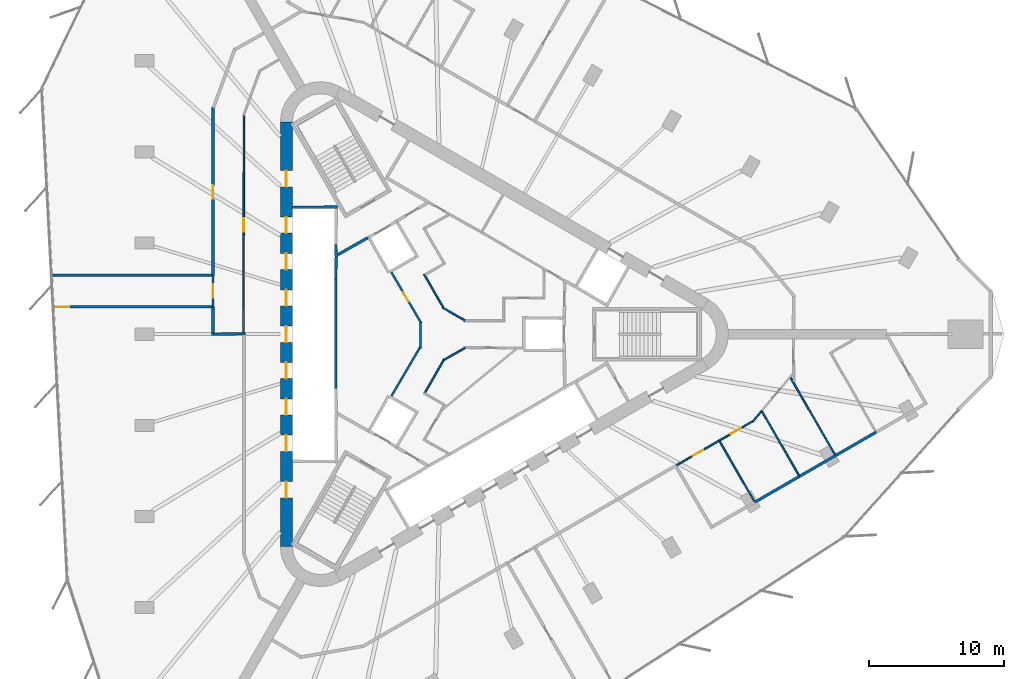
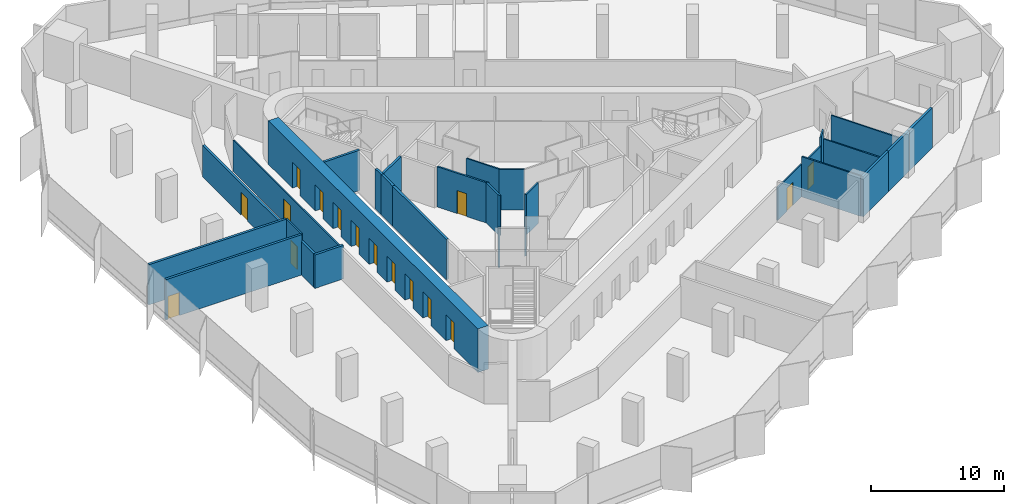
# One storey, part 9 of 14: 29 walls, 16 doors, 16 openings.
"""IFC4 building model written with IfcOpenShell, lengths in metres."""

from ifc_helpers import new_model, si_unit, direction, frame, frame_2d, origin, place, context, subcontext, project, spatial, rectangle, extrude, material, layer, layer_set, type_object, element, fill, save


model = new_model("IFC4")

# Units and contexts
model_context = context("Model", 3, precision=1e-05, world=origin(), true_north=direction((0.0, 1.0)))
body_context = subcontext(model_context, "Body", "Model", "MODEL_VIEW")
ifc_project = project(units=[si_unit("LENGTHUNIT", "METRE"), si_unit("AREAUNIT", "SQUARE_METRE"), si_unit("VOLUMEUNIT", "CUBIC_METRE"), si_unit("PLANEANGLEUNIT", "RADIAN"), si_unit("MASSUNIT", "GRAM", prefix="KILO")], contexts=[model_context])

# Site, building, storey
site_placement = place(None, origin())
site = spatial("IfcSite", under=ifc_project, at=site_placement, CompositionType="ELEMENT")
building_placement = place(site_placement, origin())
building = spatial("IfcBuilding", under=site, at=building_placement, Name="Tanit Gate Tower", CompositionType="ELEMENT")
storey_placement = place(building_placement, frame((0.0, 0.0, 205.199951171875)))
storey = spatial("IfcBuildingStorey", under=building, at=storey_placement, Name="L45", CompositionType="ELEMENT", Elevation=205.199951171875)

# Wall, openings, doors
ifc_material_1 = material(Name="Concrete C50/60", Category="concrete")
ifc_layer_1 = layer(ifc_material_1, 0.89990234375)
ifc_layer_set_1 = layer_set([ifc_layer_1], Name="CORE WALL 900 C50/60")
wall_type_1 = type_object("IfcWallType", Name="CORE WALL 900 C50/60", PredefinedType="SHEAR", material=ifc_layer_set_1)
wall_1_placement = place(storey_placement, frame((-11.64990234375, 15.76171875, 0.0), z_axis=(0.0, 0.0, 1.0), x_axis=(0.0, -1.0, 0.0)))
wall_1 = element("IfcWall", 1, at=wall_1_placement, inside=storey, type_object=wall_type_1, Name="CORE WALL", PredefinedType="SHEAR", context=body_context, shape_type="SweptSolid", body=[
    extrude(rectangle(XDim=31.5234375, YDim=0.89990234375, at=frame_2d((15.76171875, 0.0))), origin(), (0.0, 0.0, 1.0), 4.0),
])
opening_1_placement = place(wall_1_placement, frame((7.061767578125, 0.0, 0.0)))
opening_1 = element("IfcOpeningElement", 2, at=opening_1_placement, cuts=wall_1, Name="Opening LDML1-S12", PredefinedType="OPENING", context=body_context, shape_type="SweptSolid", body=[
    extrude(rectangle(XDim=1.199951171875, YDim=2.39990234375, at=frame_2d((0.60009765625, 1.199951171875))), frame((0.0, 0.4599609375, 0.0), z_axis=(0.0, -1.0, 0.0), x_axis=(1.0, 0.0, 0.0)), (0.0, 0.0, 1.0), 0.919921875),
])
opening_2_placement = place(wall_1_placement, frame((9.76171875, 0.0, 0.0)))
opening_2 = element("IfcOpeningElement", 3, at=opening_2_placement, cuts=wall_1, Name="Opening LDML2-S12", PredefinedType="OPENING", context=body_context, shape_type="SweptSolid", body=[
    extrude(rectangle(XDim=1.199951171875, YDim=2.39990234375, at=frame_2d((0.60009765625, 1.199951171875))), frame((0.0, 0.4599609375, 0.0), z_axis=(0.0, -1.0, 0.0), x_axis=(1.0, 0.0, 0.0)), (0.0, 0.0, 1.0), 0.919921875),
])
opening_3_placement = place(wall_1_placement, frame((12.461669921875, 0.0, 0.0)))
opening_3 = element("IfcOpeningElement", 4, at=opening_3_placement, cuts=wall_1, Name="Opening LDML3-S12", PredefinedType="OPENING", context=body_context, shape_type="SweptSolid", body=[
    extrude(rectangle(XDim=1.199951171875, YDim=2.39990234375, at=frame_2d((0.60009765625, 1.199951171875))), frame((0.0, 0.4599609375, 0.0), z_axis=(0.0, -1.0, 0.0), x_axis=(1.0, 0.0, 0.0)), (0.0, 0.0, 1.0), 0.919921875),
])
opening_4_placement = place(wall_1_placement, frame((15.16162109375, 0.0, 0.0)))
opening_4 = element("IfcOpeningElement", 5, at=opening_4_placement, cuts=wall_1, Name="Opening LDML4-S12", PredefinedType="OPENING", context=body_context, shape_type="SweptSolid", body=[
    extrude(rectangle(XDim=1.199951171875, YDim=2.39990234375, at=frame_2d((0.60009765625, 1.199951171875))), frame((0.0, 0.4599609375, 0.0), z_axis=(0.0, -1.0, 0.0), x_axis=(1.0, 0.0, 0.0)), (0.0, 0.0, 1.0), 0.919921875),
])
opening_5_placement = place(wall_1_placement, frame((17.86181640625, 0.0, 0.0)))
opening_5 = element("IfcOpeningElement", 6, at=opening_5_placement, cuts=wall_1, Name="Opening LDML5-S12", PredefinedType="OPENING", context=body_context, shape_type="SweptSolid", body=[
    extrude(rectangle(XDim=1.199951171875, YDim=2.39990234375, at=frame_2d((0.60009765625, 1.199951171875))), frame((0.0, 0.4599609375, 0.0), z_axis=(0.0, -1.0, 0.0), x_axis=(1.0, 0.0, 0.0)), (0.0, 0.0, 1.0), 0.919921875),
])
opening_6_placement = place(wall_1_placement, frame((20.561767578125, 0.0, 0.0)))
opening_6 = element("IfcOpeningElement", 7, at=opening_6_placement, cuts=wall_1, Name="Opening LDML6-S12", PredefinedType="OPENING", context=body_context, shape_type="SweptSolid", body=[
    extrude(rectangle(XDim=1.199951171875, YDim=2.39990234375, at=frame_2d((0.60009765625, 1.199951171875))), frame((0.0, 0.4599609375, 0.0), z_axis=(0.0, -1.0, 0.0), x_axis=(1.0, 0.0, 0.0)), (0.0, 0.0, 1.0), 0.919921875),
])
opening_7_placement = place(wall_1_placement, frame((23.26171875, 0.0, 0.0)))
opening_7 = element("IfcOpeningElement", 8, at=opening_7_placement, cuts=wall_1, Name="Opening LDML7-S12", PredefinedType="OPENING", context=body_context, shape_type="SweptSolid", body=[
    extrude(rectangle(XDim=1.199951171875, YDim=2.39990234375, at=frame_2d((0.60009765625, 1.199951171875))), frame((0.0, 0.4599609375, 0.0), z_axis=(0.0, -1.0, 0.0), x_axis=(1.0, 0.0, 0.0)), (0.0, 0.0, 1.0), 0.919921875),
])
opening_8_placement = place(wall_1_placement, frame((3.61181640625, 0.0, 0.0)))
opening_8 = element("IfcOpeningElement", 9, at=opening_8_placement, cuts=wall_1, Name="Opening F12-S12-FL2", PredefinedType="OPENING", context=body_context, shape_type="SweptSolid", body=[
    extrude(rectangle(XDim=1.199951171875, YDim=2.39990234375, at=frame_2d((0.60009765625, 1.199951171875))), frame((0.0, 0.4599609375, 0.0), z_axis=(0.0, -1.0, 0.0), x_axis=(1.0, 0.0, 0.0)), (0.0, 0.0, 1.0), 0.919921875),
])
opening_9_placement = place(wall_1_placement, frame((26.711669921875, 0.0, 0.0)))
opening_9 = element("IfcOpeningElement", 10, at=opening_9_placement, cuts=wall_1, Name="Opening F12-S12-S3", PredefinedType="OPENING", context=body_context, shape_type="SweptSolid", body=[
    extrude(rectangle(XDim=1.199951171875, YDim=2.39990234375, at=frame_2d((0.60009765625, 1.199951171875))), frame((0.0, 0.4599609375, 0.0), z_axis=(0.0, -1.0, 0.0), x_axis=(1.0, 0.0, 0.0)), (0.0, 0.0, 1.0), 0.919921875),
])
ifc_material_2 = material(Name="Fire-rated steel door leaf", Category="steel")
door_type_1 = type_object("IfcDoorType", Name="INT-DOOR-FIRE-LOBBY-1200", OperationType="NOTDEFINED", PredefinedType="USERDEFINED", material=ifc_material_2)
door_1_placement = place(opening_8_placement, origin())
door_1 = element("IfcDoor", 11, at=door_1_placement, inside=storey, type_object=door_type_1, Name="Door F12-S12-FL2", ObjectType="FIRE DOOR", OperationType="SINGLE_SWING_LEFT", OverallHeight=2.39990234375, OverallWidth=1.199951171875, PredefinedType="USERDEFINED", context=body_context, shape_type="SweptSolid", body=[
    extrude(rectangle(XDim=1.199951171875, YDim=2.39990234375, at=frame_2d((0.60009765625, 1.199951171875))), frame((0.0, 0.02490234375, 0.0), z_axis=(0.0, -1.0, 0.0), x_axis=(1.0, 0.0, 0.0)), (0.0, 0.0, 1.0), 0.050048828125),
])
fill(opening_8, door_1)
door_2_placement = place(opening_9_placement, origin())
door_2 = element("IfcDoor", 12, at=door_2_placement, inside=storey, type_object=door_type_1, Name="Door F12-S12-S3", ObjectType="FIRE DOOR", OperationType="SINGLE_SWING_RIGHT", OverallHeight=2.39990234375, OverallWidth=1.199951171875, PredefinedType="USERDEFINED", context=body_context, shape_type="SweptSolid", body=[
    extrude(rectangle(XDim=1.199951171875, YDim=2.39990234375, at=frame_2d((0.60009765625, 1.199951171875))), frame((0.0, 0.02490234375, 0.0), z_axis=(0.0, -1.0, 0.0), x_axis=(1.0, 0.0, 0.0)), (0.0, 0.0, 1.0), 0.050048828125),
])
fill(opening_9, door_2)
ifc_material_3 = material(Name="Stainless steel sliding door leaf", Category="steel")
door_type_2 = type_object("IfcDoorType", Name="INT-DOOR-LANDING-1200", OperationType="NOTDEFINED", PredefinedType="USERDEFINED", material=ifc_material_3)
door_3_placement = place(opening_1_placement, origin())
door_3 = element("IfcDoor", 13, at=door_3_placement, inside=storey, type_object=door_type_2, Name="Door LDML1-S12", ObjectType="LANDING DOOR", OperationType="SLIDING_TO_LEFT", OverallHeight=2.39990234375, OverallWidth=1.199951171875, PredefinedType="USERDEFINED", context=body_context, shape_type="SweptSolid", body=[
    extrude(rectangle(XDim=1.199951171875, YDim=2.39990234375, at=frame_2d((0.60009765625, 1.199951171875))), frame((0.0, 0.02490234375, 0.0), z_axis=(0.0, -1.0, 0.0), x_axis=(1.0, 0.0, 0.0)), (0.0, 0.0, 1.0), 0.050048828125),
])
fill(opening_1, door_3)
door_4_placement = place(opening_2_placement, origin())
door_4 = element("IfcDoor", 14, at=door_4_placement, inside=storey, type_object=door_type_2, Name="Door LDML2-S12", ObjectType="LANDING DOOR", OperationType="SLIDING_TO_LEFT", OverallHeight=2.39990234375, OverallWidth=1.199951171875, PredefinedType="USERDEFINED", context=body_context, shape_type="SweptSolid", body=[
    extrude(rectangle(XDim=1.199951171875, YDim=2.39990234375, at=frame_2d((0.60009765625, 1.199951171875))), frame((0.0, 0.02490234375, 0.0), z_axis=(0.0, -1.0, 0.0), x_axis=(1.0, 0.0, 0.0)), (0.0, 0.0, 1.0), 0.050048828125),
])
fill(opening_2, door_4)
door_5_placement = place(opening_3_placement, origin())
door_5 = element("IfcDoor", 15, at=door_5_placement, inside=storey, type_object=door_type_2, Name="Door LDML3-S12", ObjectType="LANDING DOOR", OperationType="SLIDING_TO_LEFT", OverallHeight=2.39990234375, OverallWidth=1.199951171875, PredefinedType="USERDEFINED", context=body_context, shape_type="SweptSolid", body=[
    extrude(rectangle(XDim=1.199951171875, YDim=2.39990234375, at=frame_2d((0.60009765625, 1.199951171875))), frame((0.0, 0.02490234375, 0.0), z_axis=(0.0, -1.0, 0.0), x_axis=(1.0, 0.0, 0.0)), (0.0, 0.0, 1.0), 0.050048828125),
])
fill(opening_3, door_5)
door_6_placement = place(opening_4_placement, origin())
door_6 = element("IfcDoor", 16, at=door_6_placement, inside=storey, type_object=door_type_2, Name="Door LDML4-S12", ObjectType="LANDING DOOR", OperationType="SLIDING_TO_LEFT", OverallHeight=2.39990234375, OverallWidth=1.199951171875, PredefinedType="USERDEFINED", context=body_context, shape_type="SweptSolid", body=[
    extrude(rectangle(XDim=1.199951171875, YDim=2.39990234375, at=frame_2d((0.60009765625, 1.199951171875))), frame((0.0, 0.02490234375, 0.0), z_axis=(0.0, -1.0, 0.0), x_axis=(1.0, 0.0, 0.0)), (0.0, 0.0, 1.0), 0.050048828125),
])
fill(opening_4, door_6)
door_7_placement = place(opening_5_placement, origin())
door_7 = element("IfcDoor", 17, at=door_7_placement, inside=storey, type_object=door_type_2, Name="Door LDML5-S12", ObjectType="LANDING DOOR", OperationType="SLIDING_TO_LEFT", OverallHeight=2.39990234375, OverallWidth=1.199951171875, PredefinedType="USERDEFINED", context=body_context, shape_type="SweptSolid", body=[
    extrude(rectangle(XDim=1.199951171875, YDim=2.39990234375, at=frame_2d((0.60009765625, 1.199951171875))), frame((0.0, 0.02490234375, 0.0), z_axis=(0.0, -1.0, 0.0), x_axis=(1.0, 0.0, 0.0)), (0.0, 0.0, 1.0), 0.050048828125),
])
fill(opening_5, door_7)
door_8_placement = place(opening_6_placement, origin())
door_8 = element("IfcDoor", 18, at=door_8_placement, inside=storey, type_object=door_type_2, Name="Door LDML6-S12", ObjectType="LANDING DOOR", OperationType="SLIDING_TO_LEFT", OverallHeight=2.39990234375, OverallWidth=1.199951171875, PredefinedType="USERDEFINED", context=body_context, shape_type="SweptSolid", body=[
    extrude(rectangle(XDim=1.199951171875, YDim=2.39990234375, at=frame_2d((0.60009765625, 1.199951171875))), frame((0.0, 0.02490234375, 0.0), z_axis=(0.0, -1.0, 0.0), x_axis=(1.0, 0.0, 0.0)), (0.0, 0.0, 1.0), 0.050048828125),
])
fill(opening_6, door_8)
door_9_placement = place(opening_7_placement, origin())
door_9 = element("IfcDoor", 19, at=door_9_placement, inside=storey, type_object=door_type_2, Name="Door LDML7-S12", ObjectType="LANDING DOOR", OperationType="SLIDING_TO_LEFT", OverallHeight=2.39990234375, OverallWidth=1.199951171875, PredefinedType="USERDEFINED", context=body_context, shape_type="SweptSolid", body=[
    extrude(rectangle(XDim=1.199951171875, YDim=2.39990234375, at=frame_2d((0.60009765625, 1.199951171875))), frame((0.0, 0.02490234375, 0.0), z_axis=(0.0, -1.0, 0.0), x_axis=(1.0, 0.0, 0.0)), (0.0, 0.0, 1.0), 0.050048828125),
])
fill(opening_7, door_9)

# Walls
ifc_material_4 = material(Name="Fire-rated gypsum board partition")
ifc_layer_2 = layer(ifc_material_4, 0.199951171875)
ifc_layer_set_2 = layer_set([ifc_layer_2], Name="INT-WALL-COMPARTMENT")
wall_type_2 = type_object("IfcWallType", Name="INT-WALL-COMPARTMENT", PredefinedType="PARTITIONING", material=ifc_layer_set_2)
wall_2_placement = place(storey_placement, frame((-5.600341796875, 7.16015625, 0.0), z_axis=(0.0, 0.0, 1.0), x_axis=(-0.871340486379, -0.490678873396, 0.0)))
element("IfcWall", 20, at=wall_2_placement, inside=storey, type_object=wall_type_2, Name="Wall Compartment W061", PredefinedType="PARTITIONING", context=body_context, shape_type="SweptSolid", body=[
    extrude(rectangle(XDim=2.580810546875, YDim=0.199951171875, at=frame_2d((1.29052734375, 0.0))), origin(), (0.0, 0.0, 1.0), 3.699951171875),
])
wall_3_placement = place(storey_placement, frame((-17.199951171875, -0.001220703125, 0.0), z_axis=(0.0, 0.0, 1.0), x_axis=(0.999915662945, 0.012987185857, 0.0)))
element("IfcWall", 21, at=wall_3_placement, inside=storey, type_object=wall_type_2, Name="Wall Compartment W090", PredefinedType="PARTITIONING", context=body_context, shape_type="SweptSolid", body=[
    extrude(rectangle(XDim=2.500244140625, YDim=0.199951171875, at=frame_2d((1.25, 0.0))), origin(), (0.0, 0.0, 1.0), 3.070068359375),
])

# Wall, opening, door
wall_4_placement = place(storey_placement, frame((-17.10009765625, 16.82275390625, 0.0), z_axis=(0.0, 0.0, 1.0), x_axis=(0.0, -1.0, 0.0)))
wall_4 = element("IfcWall", 22, at=wall_4_placement, inside=storey, type_object=wall_type_2, Name="Wall Compartment W092", PredefinedType="PARTITIONING", context=body_context, shape_type="SweptSolid", body=[
    extrude(rectangle(XDim=12.47265625, YDim=0.199951171875, at=frame_2d((6.236328125, 0.0))), origin(), (0.0, 0.0, 1.0), 2.880126953125),
])
opening_10_placement = place(wall_4_placement, frame((5.7763671875, 0.0, 0.0)))
opening_10 = element("IfcOpeningElement", 23, at=opening_10_placement, cuts=wall_4, Name="Opening F10-S12-31", PredefinedType="OPENING", context=body_context, shape_type="SweptSolid", body=[
    extrude(rectangle(XDim=1.0, YDim=2.10009765625, at=frame_2d((0.5, 1.050048828125))), frame((0.0, 0.10986328125, 0.0), z_axis=(0.0, -1.0, 0.0), x_axis=(1.0, 0.0, 0.0)), (0.0, 0.0, 1.0), 0.219970703125),
])
ifc_material_5 = material(Name="Fire-rated steel door leaf", Category="steel")
door_type_3 = type_object("IfcDoorType", Name="INT-DOOR-FIRE-1000", OperationType="NOTDEFINED", PredefinedType="USERDEFINED", material=ifc_material_5)
door_10_placement = place(opening_10_placement, origin())
door_10 = element("IfcDoor", 24, at=door_10_placement, inside=storey, type_object=door_type_3, Name="Door F10-S12-31", ObjectType="FIRE DOOR", OperationType="SINGLE_SWING_RIGHT", OverallHeight=2.10009765625, OverallWidth=1.0, PredefinedType="USERDEFINED", context=body_context, shape_type="SweptSolid", body=[
    extrude(rectangle(XDim=1.0, YDim=2.10009765625, at=frame_2d((0.5, 1.050048828125))), frame((0.0, 0.02490234375, 0.0), z_axis=(0.0, -1.0, 0.0), x_axis=(1.0, 0.0, 0.0)), (0.0, 0.0, 1.0), 0.050048828125),
])
fill(opening_10, door_10)

# Wall
wall_5_placement = place(storey_placement, frame((-17.10009765625, 2.050048828125, 0.0), z_axis=(0.0, 0.0, 1.0), x_axis=(0.0, -1.0, 0.0)))
element("IfcWall", 25, at=wall_5_placement, inside=storey, type_object=wall_type_2, Name="Wall Compartment W091", PredefinedType="PARTITIONING", context=body_context, shape_type="SweptSolid", body=[
    extrude(rectangle(XDim=1.949951171875, YDim=0.199951171875, at=frame_2d((0.97509765625, 0.0))), origin(), (0.0, 0.0, 1.0), 3.070068359375),
])

# Wall, opening, door
wall_6_placement = place(storey_placement, frame((-28.978515625, 2.030029296875, 0.0), z_axis=(0.0, 0.0, 1.0), x_axis=(1.0, 0.0, 0.0)))
wall_6 = element("IfcWall", 26, at=wall_6_placement, inside=storey, type_object=wall_type_2, Name="Wall Compartment W119", PredefinedType="PARTITIONING", context=body_context, shape_type="SweptSolid", body=[
    extrude(rectangle(XDim=11.818603515625, YDim=0.199951171875, at=frame_2d((5.9091796875, 0.0))), origin(), (0.0, 0.0, 1.0), 3.699951171875),
])
opening_11_placement = place(wall_6_placement, frame((0.199951171875, 0.0, 0.0)))
opening_11 = element("IfcOpeningElement", 27, at=opening_11_placement, cuts=wall_6, Name="Opening F10-S12-30", PredefinedType="OPENING", context=body_context, shape_type="SweptSolid", body=[
    extrude(rectangle(XDim=1.0, YDim=2.10009765625, at=frame_2d((0.5, 1.050048828125))), frame((0.0, 0.10986328125, 0.0), z_axis=(0.0, -1.0, 0.0), x_axis=(1.0, 0.0, 0.0)), (0.0, 0.0, 1.0), 0.219970703125),
])
door_11_placement = place(opening_11_placement, origin())
door_11 = element("IfcDoor", 28, at=door_11_placement, inside=storey, type_object=door_type_3, Name="Door F10-S12-30", ObjectType="FIRE DOOR", OperationType="SINGLE_SWING_RIGHT", OverallHeight=2.10009765625, OverallWidth=1.0, PredefinedType="USERDEFINED", context=body_context, shape_type="SweptSolid", body=[
    extrude(rectangle(XDim=1.0, YDim=2.10009765625, at=frame_2d((0.5, 1.050048828125))), frame((0.0, 0.02490234375, 0.0), z_axis=(0.0, -1.0, 0.0), x_axis=(1.0, 0.0, 0.0)), (0.0, 0.0, 1.0), 0.050048828125),
])
fill(opening_11, door_11)

# Walls
wall_7_placement = place(storey_placement, frame((-17.159912109375, 4.3701171875, 0.0), z_axis=(0.0, 0.0, 1.0), x_axis=(-1.0, 0.0, 0.0)))
element("IfcWall", 29, at=wall_7_placement, inside=storey, type_object=wall_type_2, Name="Wall Compartment W120", PredefinedType="PARTITIONING", context=body_context, shape_type="SweptSolid", body=[
    extrude(rectangle(XDim=11.9404296875, YDim=0.199951171875, at=frame_2d((5.97021484375, 0.0))), origin(), (0.0, 0.0, 1.0), 3.699951171875),
])
wall_8_placement = place(storey_placement, frame((32.154052734375, -7.278076171875, 0.0), z_axis=(0.0, 0.0, 1.0), x_axis=(-0.866015890035, -0.500016477935, 0.0)))
element("IfcWall", 30, at=wall_8_placement, inside=storey, type_object=wall_type_2, Name="Wall Compartment W142", PredefinedType="PARTITIONING", context=body_context, shape_type="SweptSolid", body=[
    extrude(rectangle(XDim=3.47412109375, YDim=0.199951171875, at=frame_2d((1.737060546875, 0.0))), origin(), (0.0, 0.0, 1.0), 3.699951171875),
])
wall_9_placement = place(storey_placement, frame((29.1455078125, -9.01513671875, 0.0), z_axis=(0.0, 0.0, 1.0), x_axis=(-0.866051371129, -0.499955020542, 0.0)))
element("IfcWall", 31, at=wall_9_placement, inside=storey, type_object=wall_type_2, Name="Wall Compartment W141", PredefinedType="PARTITIONING", context=body_context, shape_type="SweptSolid", body=[
    extrude(rectangle(XDim=3.089599609375, YDim=0.199951171875, at=frame_2d((1.544921875, 0.0))), origin(), (0.0, 0.0, 1.0), 3.699951171875),
])
wall_10_placement = place(storey_placement, frame((26.4697265625, -10.559814453125, 0.0), z_axis=(0.0, 0.0, 1.0), x_axis=(-0.866017015294, -0.50001452901, 0.0)))
element("IfcWall", 32, at=wall_10_placement, inside=storey, type_object=wall_type_2, Name="Wall Compartment W140", PredefinedType="PARTITIONING", context=body_context, shape_type="SweptSolid", body=[
    extrude(rectangle(XDim=3.8349609375, YDim=0.199951171875, at=frame_2d((1.91748046875, 0.0))), origin(), (0.0, 0.0, 1.0), 3.699951171875),
])
ifc_material_6 = material(Name="Gypsum board partition")
ifc_layer_3 = layer(ifc_material_6, 0.1201171875)
ifc_layer_set_3 = layer_set([ifc_layer_3], Name="INT-WALL-PARTITION")
wall_type_3 = type_object("IfcWallType", Name="INT-WALL-PARTITION", PredefinedType="PARTITIONING", material=ifc_layer_set_3)
wall_11_placement = place(storey_placement, frame((0.09521484375, -1.8349609375, 0.0), z_axis=(0.0, 0.0, 1.0), x_axis=(-0.499980071345, -0.866036909293, 0.0)))
element("IfcWall", 33, at=wall_11_placement, inside=storey, type_object=wall_type_3, Name="Wall Partition W074", PredefinedType="PARTITIONING", context=body_context, shape_type="SweptSolid", body=[
    extrude(rectangle(XDim=2.8984375, YDim=0.1201171875, at=frame_2d((1.44921875, 0.0))), origin(), (0.0, 0.0, 1.0), 3.699951171875),
])
wall_12_placement = place(storey_placement, frame((1.629150390625, -1.009521484375, 0.0), z_axis=(0.0, 0.0, 1.0), x_axis=(-0.866046528967, -0.499963408325, 0.0)))
element("IfcWall", 34, at=wall_12_placement, inside=storey, type_object=wall_type_3, Name="Wall Partition W075", PredefinedType="PARTITIONING", context=body_context, shape_type="SweptSolid", body=[
    extrude(rectangle(XDim=1.812744140625, YDim=0.1201171875, at=frame_2d((0.90625, 0.0))), origin(), (0.0, 0.0, 1.0), 3.699951171875),
])
wall_13_placement = place(storey_placement, frame((-0.046630859375, 1.97705078125, 0.0), z_axis=(0.0, 0.0, 1.0), x_axis=(0.865998615205, -0.500046396311, 0.0)))
element("IfcWall", 35, at=wall_13_placement, inside=storey, type_object=wall_type_3, Name="Wall Partition W081", PredefinedType="PARTITIONING", context=body_context, shape_type="SweptSolid", body=[
    extrude(rectangle(XDim=1.935302734375, YDim=0.1201171875, at=frame_2d((0.9677734375, 0.0))), origin(), (0.0, 0.0, 1.0), 3.699951171875),
])
wall_14_placement = place(storey_placement, frame((-1.4140625, 4.448974609375, 0.0), z_axis=(0.0, 0.0, 1.0), x_axis=(0.500028961621, -0.866008682139, 0.0)))
element("IfcWall", 36, at=wall_14_placement, inside=storey, type_object=wall_type_3, Name="Wall Partition W082", PredefinedType="PARTITIONING", context=body_context, shape_type="SweptSolid", body=[
    extrude(rectangle(XDim=2.895751953125, YDim=0.1201171875, at=frame_2d((1.44775390625, 0.0))), origin(), (0.0, 0.0, 1.0), 3.699951171875),
])

# Wall, opening, door
wall_15_placement = place(storey_placement, frame((-14.800048828125, 16.257080078125, 0.0), z_axis=(0.0, 0.0, 1.0), x_axis=(-0.001847148781, -0.999998294019, 0.0)))
wall_15 = element("IfcWall", 37, at=wall_15_placement, inside=storey, type_object=wall_type_3, Name="Wall Partition W088", PredefinedType="PARTITIONING", context=body_context, shape_type="SweptSolid", body=[
    extrude(rectangle(XDim=16.257080078125, YDim=0.1201171875, at=frame_2d((8.12841796875, 0.0))), origin(), (0.0, 0.0, 1.0), 2.880126953125),
])
opening_12_placement = place(wall_15_placement, frame((7.628662109375, 0.0, 0.0)))
opening_12 = element("IfcOpeningElement", 38, at=opening_12_placement, cuts=wall_15, Name="Opening D10-S12-17", PredefinedType="OPENING", context=body_context, shape_type="SweptSolid", body=[
    extrude(rectangle(XDim=1.0, YDim=2.10009765625, at=frame_2d((0.5, 1.050048828125))), frame((0.0, 0.070068359375, 0.0), z_axis=(0.0, -1.0, 0.0), x_axis=(1.0, 0.0, 0.0)), (0.0, 0.0, 1.0), 0.14013671875),
])
ifc_material_7 = material(Name="Timber door leaf", Category="wood")
door_type_4 = type_object("IfcDoorType", Name="INT-DOOR-SINGLE-1000", OperationType="NOTDEFINED", PredefinedType="NOTDEFINED", material=ifc_material_7)
door_12_placement = place(opening_12_placement, origin())
door_12 = element("IfcDoor", 39, at=door_12_placement, inside=storey, type_object=door_type_4, Name="Door D10-S12-17", OperationType="SINGLE_SWING_LEFT", OverallHeight=2.10009765625, OverallWidth=1.0, PredefinedType="NOTDEFINED", context=body_context, shape_type="SweptSolid", body=[
    extrude(rectangle(XDim=1.0, YDim=2.10009765625, at=frame_2d((0.5, 1.050048828125))), frame((0.0, 0.02490234375, 0.0), z_axis=(0.0, -1.0, 0.0), x_axis=(1.0, 0.0, 0.0)), (0.0, 0.0, 1.0), 0.050048828125),
])
fill(opening_12, door_12)

wall_16_placement = place(storey_placement, frame((-17.10009765625, 4.35009765625, 0.0), z_axis=(0.0, 0.0, 1.0), x_axis=(0.0, -1.0, 0.0)))
wall_16 = element("IfcWall", 40, at=wall_16_placement, inside=storey, type_object=wall_type_3, Name="Wall Partition W089", PredefinedType="PARTITIONING", context=body_context, shape_type="SweptSolid", body=[
    extrude(rectangle(XDim=2.300048828125, YDim=0.1201171875, at=frame_2d((1.14990234375, 0.0))), origin(), (0.0, 0.0, 1.0), 3.699951171875),
])
opening_13_placement = place(wall_16_placement, frame((0.64990234375, 0.0, 0.0)))
opening_13 = element("IfcOpeningElement", 41, at=opening_13_placement, cuts=wall_16, Name="Opening D10-S12-18", PredefinedType="OPENING", context=body_context, shape_type="SweptSolid", body=[
    extrude(rectangle(XDim=1.0, YDim=2.10009765625, at=frame_2d((0.5, 1.050048828125))), frame((0.0, 0.070068359375, 0.0), z_axis=(0.0, -1.0, 0.0), x_axis=(1.0, 0.0, 0.0)), (0.0, 0.0, 1.0), 0.14013671875),
])
door_13_placement = place(opening_13_placement, origin())
door_13 = element("IfcDoor", 42, at=door_13_placement, inside=storey, type_object=door_type_4, Name="Door D10-S12-18", OperationType="SINGLE_SWING_LEFT", OverallHeight=2.10009765625, OverallWidth=1.0, PredefinedType="NOTDEFINED", context=body_context, shape_type="SweptSolid", body=[
    extrude(rectangle(XDim=1.0, YDim=2.10009765625, at=frame_2d((0.5, 1.050048828125))), frame((0.0, 0.02490234375, 0.0), z_axis=(0.0, -1.0, 0.0), x_axis=(1.0, 0.0, 0.0)), (0.0, 0.0, 1.0), 0.050048828125),
])
fill(opening_13, door_13)

wall_17_placement = place(storey_placement, frame((17.357421875, -9.72412109375, 0.0), z_axis=(0.0, 0.0, 1.0), x_axis=(0.866021334019, 0.500007048974, 0.0)))
wall_17 = element("IfcWall", 43, at=wall_17_placement, inside=storey, type_object=wall_type_3, Name="Wall Partition W114", PredefinedType="PARTITIONING", context=body_context, shape_type="SweptSolid", body=[
    extrude(rectangle(XDim=3.638671875, YDim=0.1201171875, at=frame_2d((1.8193359375, 0.0))), origin(), (0.0, 0.0, 1.0), 2.97998046875),
])
opening_14_placement = place(wall_17_placement, frame((1.369384765625, 0.0, 0.0)))
opening_14 = element("IfcOpeningElement", 44, at=opening_14_placement, cuts=wall_17, Name="Opening D09-S12-25", PredefinedType="OPENING", context=body_context, shape_type="SweptSolid", body=[
    extrude(rectangle(XDim=0.89990234375, YDim=2.10009765625, at=frame_2d((0.449951171875, 1.050048828125))), frame((0.0, 0.070068359375, 0.0), z_axis=(0.0, -1.0, 0.0), x_axis=(1.0, 0.0, 0.0)), (0.0, 0.0, 1.0), 0.14013671875),
])
ifc_material_8 = material(Name="Timber door leaf", Category="wood")
door_type_5 = type_object("IfcDoorType", Name="INT-DOOR-SINGLE-900", OperationType="NOTDEFINED", PredefinedType="NOTDEFINED", material=ifc_material_8)
door_14_placement = place(opening_14_placement, origin())
door_14 = element("IfcDoor", 45, at=door_14_placement, inside=storey, type_object=door_type_5, Name="Door D09-S12-25", OperationType="SINGLE_SWING_LEFT", OverallHeight=2.10009765625, OverallWidth=0.89990234375, PredefinedType="NOTDEFINED", context=body_context, shape_type="SweptSolid", body=[
    extrude(rectangle(XDim=0.89990234375, YDim=2.10009765625, at=frame_2d((0.449951171875, 1.050048828125))), frame((0.0, 0.02490234375, 0.0), z_axis=(0.0, -1.0, 0.0), x_axis=(1.0, 0.0, 0.0)), (0.0, 0.0, 1.0), 0.050048828125),
])
fill(opening_14, door_14)

wall_18_placement = place(storey_placement, frame((20.508544921875, -7.90478515625, 0.0), z_axis=(0.0, 0.0, 1.0), x_axis=(0.866028890243, 0.499993961228, 0.0)))
wall_18 = element("IfcWall", 46, at=wall_18_placement, inside=storey, type_object=wall_type_3, Name="Wall Partition W116", PredefinedType="PARTITIONING", context=body_context, shape_type="SweptSolid", body=[
    extrude(rectangle(XDim=2.85400390625, YDim=0.1201171875, at=frame_2d((1.427001953125, 0.0))), origin(), (0.0, 0.0, 1.0), 2.880126953125),
])
opening_15_placement = place(wall_18_placement, frame((0.97705078125, 0.0, 0.0)))
opening_15 = element("IfcOpeningElement", 47, at=opening_15_placement, cuts=wall_18, Name="Opening D09-S12-26", PredefinedType="OPENING", context=body_context, shape_type="SweptSolid", body=[
    extrude(rectangle(XDim=0.89990234375, YDim=2.10009765625, at=frame_2d((0.449951171875, 1.050048828125))), frame((0.0, 0.070068359375, 0.0), z_axis=(0.0, -1.0, 0.0), x_axis=(1.0, 0.0, 0.0)), (0.0, 0.0, 1.0), 0.14013671875),
])
door_15_placement = place(opening_15_placement, origin())
door_15 = element("IfcDoor", 48, at=door_15_placement, inside=storey, type_object=door_type_5, Name="Door D09-S12-26", OperationType="SINGLE_SWING_LEFT", OverallHeight=2.10009765625, OverallWidth=0.89990234375, PredefinedType="NOTDEFINED", context=body_context, shape_type="SweptSolid", body=[
    extrude(rectangle(XDim=0.89990234375, YDim=2.10009765625, at=frame_2d((0.449951171875, 1.050048828125))), frame((0.0, 0.02490234375, 0.0), z_axis=(0.0, -1.0, 0.0), x_axis=(1.0, 0.0, 0.0)), (0.0, 0.0, 1.0), 0.050048828125),
])
fill(opening_15, door_15)

# Walls
wall_19_placement = place(storey_placement, frame((22.99365234375, -6.49365234375, 0.0), z_axis=(0.0, 0.0, 1.0), x_axis=(0.642788403247, 0.766043777242, 0.0)))
element("IfcWall", 49, at=wall_19_placement, inside=storey, type_object=wall_type_3, Name="Wall Partition W115", PredefinedType="PARTITIONING", context=body_context, shape_type="SweptSolid", body=[
    extrude(rectangle(XDim=1.0498046875, YDim=0.1201171875, at=frame_2d((0.52490234375, 0.0))), origin(), (0.0, 0.0, 1.0), 3.699951171875),
])
wall_20_placement = place(storey_placement, frame((20.53857421875, -7.956787109375, 0.0), z_axis=(0.0, 0.0, 1.0), x_axis=(0.500026528015, -0.866010087286, 0.0)))
element("IfcWall", 50, at=wall_20_placement, inside=storey, type_object=wall_type_3, Name="Wall Partition W148", PredefinedType="PARTITIONING", context=body_context, shape_type="SweptSolid", body=[
    extrude(rectangle(XDim=5.119873046875, YDim=0.1201171875, at=frame_2d((2.56005859375, 0.0))), origin(), (0.0, 0.0, 1.0), 3.699951171875),
])
wall_21_placement = place(storey_placement, frame((26.419677734375, -10.473388671875, 0.0), z_axis=(0.0, 0.0, 1.0), x_axis=(-0.499992537871, 0.866029712004, 0.0)))
element("IfcWall", 51, at=wall_21_placement, inside=storey, type_object=wall_type_3, Name="Wall Partition W149", PredefinedType="PARTITIONING", context=body_context, shape_type="SweptSolid", body=[
    extrude(rectangle(XDim=5.451171875, YDim=0.1201171875, at=frame_2d((2.7255859375, 0.0))), origin(), (0.0, 0.0, 1.0), 2.880126953125),
])
wall_22_placement = place(storey_placement, frame((25.8076171875, -3.233642578125, 0.0), z_axis=(0.0, 0.0, 1.0), x_axis=(0.499992415469, -0.866029782671, 0.0)))
element("IfcWall", 52, at=wall_22_placement, inside=storey, type_object=wall_type_3, Name="Wall Partition W150", PredefinedType="PARTITIONING", context=body_context, shape_type="SweptSolid", body=[
    extrude(rectangle(XDim=6.57568359375, YDim=0.1201171875, at=frame_2d((3.287841796875, 0.0))), origin(), (0.0, 0.0, 1.0), 2.780029296875),
])

# Wall, opening, door
ifc_material_9 = material(Name="Fire-rated gypsum board partition")
ifc_layer_4 = layer(ifc_material_9, 0.14990234375)
ifc_layer_set_4 = layer_set([ifc_layer_4], Name="INT-WALL-RISER")
wall_type_4 = type_object("IfcWallType", Name="INT-WALL-RISER", PredefinedType="PLUMBINGWALL", material=ifc_layer_set_4)
wall_23_placement = place(storey_placement, frame((-1.6240234375, 0.814697265625, 0.0), z_axis=(0.0, 0.0, 1.0), x_axis=(-0.505868173579, 0.862610799237, 0.0)))
wall_23 = element("IfcWall", 53, at=wall_23_placement, inside=storey, type_object=wall_type_4, Name="Wall Riser W065", PredefinedType="PLUMBINGWALL", context=body_context, shape_type="SweptSolid", body=[
    extrude(rectangle(XDim=4.382568359375, YDim=0.14990234375, at=frame_2d((2.19140625, 0.0))), origin(), (0.0, 0.0, 1.0), 3.699951171875),
])
opening_16_placement = place(wall_23_placement, frame((1.855224609375, 0.0, 0.0)))
opening_16 = element("IfcOpeningElement", 54, at=opening_16_placement, cuts=wall_23, Name="Opening R08-S12-10", PredefinedType="OPENING", context=body_context, shape_type="SweptSolid", body=[
    extrude(rectangle(XDim=0.800048828125, YDim=2.10009765625, at=frame_2d((0.39990234375, 1.050048828125))), frame((0.0, 0.0849609375, 0.0), z_axis=(0.0, -1.0, 0.0), x_axis=(1.0, 0.0, 0.0)), (0.0, 0.0, 1.0), 0.169921875),
])
ifc_material_10 = material(Name="Timber door leaf", Category="wood")
door_type_6 = type_object("IfcDoorType", Name="INT-DOOR-RISER-800", OperationType="NOTDEFINED", PredefinedType="USERDEFINED", material=ifc_material_10)
door_16_placement = place(opening_16_placement, origin())
door_16 = element("IfcDoor", 55, at=door_16_placement, inside=storey, type_object=door_type_6, Name="Door R08-S12-10", ObjectType="FIRE DOOR", OperationType="SINGLE_SWING_RIGHT", OverallHeight=2.10009765625, OverallWidth=0.800048828125, PredefinedType="USERDEFINED", context=body_context, shape_type="SweptSolid", body=[
    extrude(rectangle(XDim=0.800048828125, YDim=2.10009765625, at=frame_2d((0.39990234375, 1.050048828125))), frame((0.0, 0.02490234375, 0.0), z_axis=(0.0, -1.0, 0.0), x_axis=(1.0, 0.0, 0.0)), (0.0, 0.0, 1.0), 0.050048828125),
])
fill(opening_16, door_16)

# Walls
wall_24_placement = place(storey_placement, frame((-1.688720703125, -1.052978515625, 0.0), z_axis=(0.0, 0.0, 1.0), x_axis=(0.0, 1.0, 0.0)))
element("IfcWall", 56, at=wall_24_placement, inside=storey, type_object=wall_type_4, Name="Wall Riser W066", PredefinedType="PLUMBINGWALL", context=body_context, shape_type="SweptSolid", body=[
    extrude(rectangle(XDim=1.954345703125, YDim=0.14990234375, at=frame_2d((0.97705078125, 0.0))), origin(), (0.0, 0.0, 1.0), 3.699951171875),
])
wall_25_placement = place(storey_placement, frame((-3.841064453125, -4.59521484375, 0.0), z_axis=(0.0, 0.0, 1.0), x_axis=(0.505857207696, 0.862617229959, 0.0)))
element("IfcWall", 57, at=wall_25_placement, inside=storey, type_object=wall_type_4, Name="Wall Riser W067", PredefinedType="PLUMBINGWALL", context=body_context, shape_type="SweptSolid", body=[
    extrude(rectangle(XDim=4.231201171875, YDim=0.14990234375, at=frame_2d((2.11572265625, 0.0))), origin(), (0.0, 0.0, 1.0), 3.699951171875),
])
ifc_material_11 = material(Name="Gypsum shaft wall system")
ifc_layer_5 = layer(ifc_material_11, 0.199951171875)
ifc_layer_set_5 = layer_set([ifc_layer_5], Name="INT-WALL-SHAFT")
wall_type_5 = type_object("IfcWallType", Name="INT-WALL-SHAFT", PredefinedType="PLUMBINGWALL", material=ifc_layer_set_5)
wall_26_placement = place(storey_placement, frame((-11.199951171875, 9.419921875, 0.0), z_axis=(0.0, 0.0, 1.0), x_axis=(0.999957167047, 0.009255488683, 0.0)))
element("IfcWall", 58, at=wall_26_placement, inside=storey, type_object=wall_type_5, Name="Wall Shaft W001", PredefinedType="PLUMBINGWALL", context=body_context, shape_type="SweptSolid", body=[
    extrude(rectangle(XDim=3.35009765625, YDim=0.199951171875, at=frame_2d((1.675048828125, 0.0))), origin(), (0.0, 0.0, 1.0), 3.699951171875),
])
wall_27_placement = place(storey_placement, frame((-7.97705078125, 6.650146484375, 0.0), z_axis=(0.0, 0.0, 1.0), x_axis=(0.030861509705, -0.999523670164, 0.0)))
element("IfcWall", 59, at=wall_27_placement, inside=storey, type_object=wall_type_5, Name="Wall Shaft W003", PredefinedType="PLUMBINGWALL", context=body_context, shape_type="SweptSolid", body=[
    extrude(rectangle(XDim=0.878173828125, YDim=0.199951171875, at=frame_2d((0.43896484375, 0.0))), origin(), (0.0, 0.0, 1.0), 3.699951171875),
])
wall_28_placement = place(storey_placement, frame((-7.948974609375, 5.894287109375, 0.0), z_axis=(0.0, 0.0, 1.0), x_axis=(-0.016809909365, -0.999858703491, 0.0)))
element("IfcWall", 60, at=wall_28_placement, inside=storey, type_object=wall_type_5, Name="Wall Shaft W004", PredefinedType="PLUMBINGWALL", context=body_context, shape_type="SweptSolid", body=[
    extrude(rectangle(XDim=1.844482421875, YDim=0.199951171875, at=frame_2d((0.92236328125, 0.0))), origin(), (0.0, 0.0, 1.0), 3.699951171875),
])
wall_29_placement = place(storey_placement, frame((-7.97998046875, 4.050048828125, 0.0), z_axis=(0.0, 0.0, 1.0), x_axis=(0.0, -1.0, 0.0)))
element("IfcWall", 61, at=wall_29_placement, inside=storey, type_object=wall_type_5, Name="Wall Shaft W005", PredefinedType="PLUMBINGWALL", context=body_context, shape_type="SweptSolid", body=[
    extrude(rectangle(XDim=8.10009765625, YDim=0.199951171875, at=frame_2d((4.050048828125, 0.0))), origin(), (0.0, 0.0, 1.0), 3.699951171875),
])

save(model, "model.ifc")
